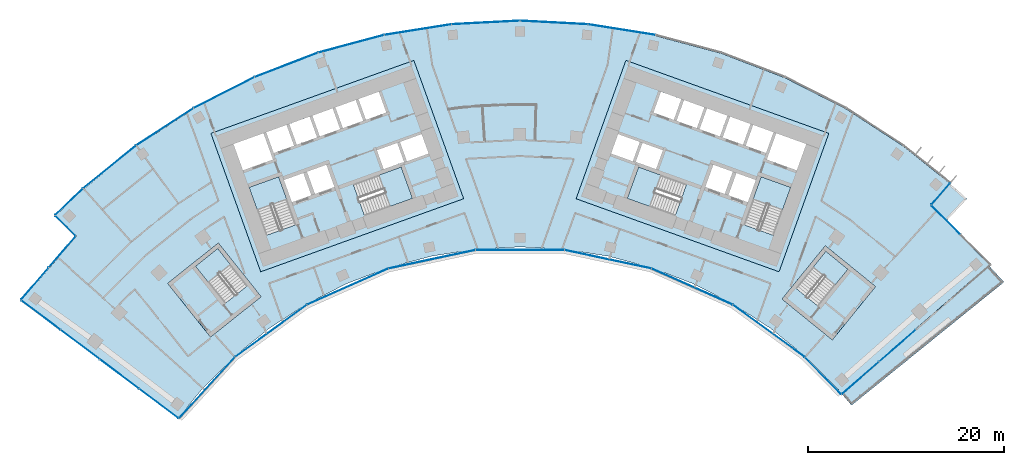
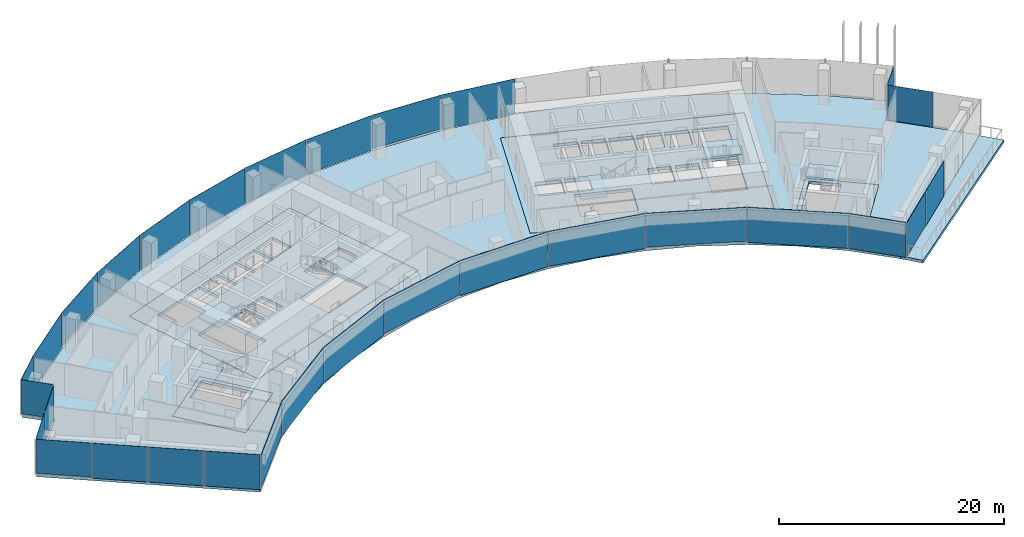
# One storey, part 11 of 20: 30 plates, 13 slabs, 14 elements without a shape of their own.
"""IFC4 building model written with IfcOpenShell, lengths in metres."""

from ifc_helpers import new_model, si_unit, direction, frame, origin, origin_2d, place, context, subcontext, project, spatial, polyline, rectangle, outline, extrude, material, layer, layer_set, type_object, element, aggregate, save


model = new_model("IFC4")

# Units and contexts
model_context = context("Model", 3, precision=1e-05, world=origin(), true_north=direction((0.0, 1.0)))
body_context = subcontext(model_context, "Body", "Model", "MODEL_VIEW")
ifc_project = project(units=[si_unit("LENGTHUNIT", "METRE"), si_unit("AREAUNIT", "SQUARE_METRE"), si_unit("VOLUMEUNIT", "CUBIC_METRE"), si_unit("PLANEANGLEUNIT", "RADIAN"), si_unit("MASSUNIT", "GRAM", prefix="KILO")], contexts=[model_context])

# Site, building, storey
site_placement = place(None, origin())
site = spatial("IfcSite", under=ifc_project, at=site_placement, CompositionType="ELEMENT")
building_placement = place(site_placement, origin())
building = spatial("IfcBuilding", under=site, at=building_placement, Name="Stone Belt Terrace Tower", CompositionType="ELEMENT")
storey_placement = place(building_placement, frame((0.0, 0.0, 170.60009765625)))
storey = spatial("IfcBuildingStorey", under=building, at=storey_placement, Name="L41", CompositionType="ELEMENT", Elevation=170.60009765625)

# Curtain wall, plates
ifc_material_1 = material(Name="Aluminium 6063-T6 anodised frame", Category="aluminium")
ifc_layer_1 = layer(ifc_material_1, 0.14990234375)
ifc_layer_set_1 = layer_set([ifc_layer_1], Name="CW-A unitised convex-face curtain wall")
curtain_wall_type_1 = type_object("IfcCurtainWallType", Name="CW-A unitised convex-face curtain wall", PredefinedType="NOTDEFINED", material=ifc_layer_set_1)
curtain_wall_1_placement = place(storey_placement, origin())
curtain_wall_1 = element("IfcCurtainWall", 1, at=curtain_wall_1_placement, inside=storey, type_object=curtain_wall_type_1, Name="CW-A convex face L41", PredefinedType="NOTDEFINED")
ifc_material_2 = material(Name="Clear double glazed unit")
ifc_layer_2 = layer(ifc_material_2, 0.031982421875)
ifc_layer_set_2 = layer_set([ifc_layer_2], Name="CW-A glass panel 32")
plate_type_1 = type_object("IfcPlateType", Name="CW-A glass panel 32", PredefinedType="CURTAIN_PANEL", material=ifc_layer_set_2)
plate_1_placement = place(storey_placement, frame((10.400390625, 65.665283203125, 0.0), z_axis=(0.0, 0.0, 1.0), x_axis=(-0.987688340595, 0.15643446504, 0.0)))
plate_1 = element("IfcPlate", 2, at=plate_1_placement, type_object=plate_type_1, Name="CW-A panel 6.1", PredefinedType="CURTAIN_PANEL", context=body_context, shape_type="SweptSolid", body=[
    extrude(rectangle(XDim=6.90087890625, YDim=0.031982421875, at=origin_2d()), origin(), (0.0, 0.0, 1.0), 3.800048828125),
])
plate_2_placement = place(storey_placement, frame((3.4794921875, 66.392822265625, 0.14013671875), z_axis=(0.0, 0.0, 1.0), x_axis=(-0.998629534755, 0.052335956243, 0.0)))
plate_2 = element("IfcPlate", 3, at=plate_2_placement, type_object=plate_type_1, Name="CW-A panel 7.1", PredefinedType="CURTAIN_PANEL", context=body_context, shape_type="SweptSolid", body=[
    extrude(rectangle(XDim=6.90087890625, YDim=0.031982421875, at=origin_2d()), origin(), (0.0, 0.0, 1.0), 3.659912109375),
])
plate_3_placement = place(storey_placement, frame((-3.4794921875, 66.392822265625, 0.0), z_axis=(0.0, 0.0, 1.0), x_axis=(-0.998629534755, -0.052335956243, 0.0)))
plate_3 = element("IfcPlate", 4, at=plate_3_placement, type_object=plate_type_1, Name="CW-A panel 8.1", PredefinedType="CURTAIN_PANEL", context=body_context, shape_type="SweptSolid", body=[
    extrude(rectangle(XDim=6.90087890625, YDim=0.031982421875, at=origin_2d()), origin(), (0.0, 0.0, 1.0), 3.800048828125),
])
plate_4_placement = place(storey_placement, frame((-10.400390625, 65.665283203125, 0.0), z_axis=(0.0, 0.0, 1.0), x_axis=(-0.987688340595, -0.15643446504, 0.0)))
plate_4 = element("IfcPlate", 5, at=plate_4_placement, type_object=plate_type_1, Name="CW-A panel 9.1", PredefinedType="CURTAIN_PANEL", context=body_context, shape_type="SweptSolid", body=[
    extrude(rectangle(XDim=6.90087890625, YDim=0.031982421875, at=origin_2d()), origin(), (0.0, 0.0, 1.0), 3.800048828125),
])
plate_5_placement = place(storey_placement, frame((-17.207275390625, 64.218505859375, 0.0), z_axis=(0.0, 0.0, 1.0), x_axis=(-0.965925826289, -0.258819045103, 0.0)))
plate_5 = element("IfcPlate", 6, at=plate_5_placement, type_object=plate_type_1, Name="CW-A panel 10.1", PredefinedType="CURTAIN_PANEL", context=body_context, shape_type="SweptSolid", body=[
    extrude(rectangle(XDim=6.90087890625, YDim=0.031982421875, at=origin_2d()), origin(), (0.0, 0.0, 1.0), 3.800048828125),
])
plate_6_placement = place(storey_placement, frame((-23.82568359375, 62.068115234375, 0.0), z_axis=(0.0, 0.0, 1.0), x_axis=(-0.933580426497, -0.358367949545, 0.0)))
plate_6 = element("IfcPlate", 7, at=plate_6_placement, type_object=plate_type_1, Name="CW-A panel 11.1", PredefinedType="CURTAIN_PANEL", context=body_context, shape_type="SweptSolid", body=[
    extrude(rectangle(XDim=6.90087890625, YDim=0.031982421875, at=origin_2d()), origin(), (0.0, 0.0, 1.0), 3.800048828125),
])
plate_7_placement = place(storey_placement, frame((-30.18310546875, 59.237548828125, 0.0), z_axis=(0.0, 0.0, 1.0), x_axis=(-0.891006524188, -0.45399049974, 0.0)))
plate_7 = element("IfcPlate", 8, at=plate_7_placement, type_object=plate_type_1, Name="CW-A panel 12.1", PredefinedType="CURTAIN_PANEL", context=body_context, shape_type="SweptSolid", body=[
    extrude(rectangle(XDim=6.90087890625, YDim=0.031982421875, at=origin_2d()), origin(), (0.0, 0.0, 1.0), 3.800048828125),
])
plate_8_placement = place(storey_placement, frame((-36.209716796875, 55.758056640625, 0.14013671875), z_axis=(0.0, 0.0, 1.0), x_axis=(-0.838670567945, -0.544639035015, 0.0)))
plate_8 = element("IfcPlate", 9, at=plate_8_placement, type_object=plate_type_1, Name="CW-A panel 13.1", PredefinedType="CURTAIN_PANEL", context=body_context, shape_type="SweptSolid", body=[
    extrude(rectangle(XDim=6.90087890625, YDim=0.031982421875, at=origin_2d()), origin(), (0.0, 0.0, 1.0), 3.659912109375),
])
plate_9_placement = place(storey_placement, frame((-41.839599609375, 51.667724609375, 0.0), z_axis=(0.0, 0.0, 1.0), x_axis=(-0.777145961457, -0.62932039105, 0.0)))
plate_9 = element("IfcPlate", 10, at=plate_9_placement, type_object=plate_type_1, Name="CW-A panel 14.1", PredefinedType="CURTAIN_PANEL", context=body_context, shape_type="SweptSolid", body=[
    extrude(rectangle(XDim=6.900634765625, YDim=0.031982421875, at=origin_2d()), origin(), (0.0, 0.0, 1.0), 3.800048828125),
])
plate_10_placement = place(storey_placement, frame((-45.9765625, 48.109619140625, 0.0), z_axis=(0.0, 0.0, 1.0), x_axis=(-0.723120883539, -0.690721497993, 0.0)))
plate_10 = element("IfcPlate", 11, at=plate_10_placement, type_object=plate_type_1, Name="CW-A panel 15.1", PredefinedType="CURTAIN_PANEL", context=body_context, shape_type="SweptSolid", body=[
    extrude(rectangle(XDim=3.888671875, YDim=0.031982421875, at=origin_2d()), origin(), (0.0, 0.0, 1.0), 3.800048828125),
])
aggregate(curtain_wall_1, [plate_1, plate_2, plate_3, plate_4, plate_5, plate_6, plate_7, plate_8, plate_9, plate_10])

ifc_layer_3 = layer(ifc_material_1, 0.14990234375)
ifc_layer_set_3 = layer_set([ifc_layer_3], Name="CW-B unitised concave-face curtain wall")
curtain_wall_type_2 = type_object("IfcCurtainWallType", Name="CW-B unitised concave-face curtain wall", PredefinedType="NOTDEFINED", material=ifc_layer_set_3)
curtain_wall_2_placement = place(storey_placement, origin())
curtain_wall_2 = element("IfcCurtainWall", 12, at=curtain_wall_2_placement, inside=storey, type_object=curtain_wall_type_2, Name="CW-B concave face L41", PredefinedType="NOTDEFINED")
ifc_layer_4 = layer(ifc_material_2, 0.030029296875)
ifc_layer_set_4 = layer_set([ifc_layer_4], Name="CW-B glass panel 30")
plate_type_2 = type_object("IfcPlateType", Name="CW-B glass panel 30", PredefinedType="CURTAIN_PANEL", material=ifc_layer_set_4)
plate_11_placement = place(storey_placement, frame((-31.9111328125, 29.148681640625, 0.1201171875), z_axis=(0.0, 0.0, 1.0), x_axis=(0.674760998748, 0.73803630979, 0.0)))
plate_11 = element("IfcPlate", 13, at=plate_11_placement, type_object=plate_type_2, Name="CW-B panel 1.1", PredefinedType="CURTAIN_PANEL", context=body_context, shape_type="SweptSolid", body=[
    extrude(rectangle(XDim=8.39501953125, YDim=0.030029296875, at=origin_2d()), origin(), (0.0, 0.0, 1.0), 3.679931640625),
])
plate_12_placement = place(storey_placement, frame((-25.384765625, 34.938720703125, 0.0), z_axis=(0.0, 0.0, 1.0), x_axis=(0.809016994375, 0.587785252292, 0.0)))
plate_12 = element("IfcPlate", 14, at=plate_12_placement, type_object=plate_type_2, Name="CW-B panel 2.1", PredefinedType="CURTAIN_PANEL", context=body_context, shape_type="SweptSolid", body=[
    extrude(rectangle(XDim=9.013427734375, YDim=0.030029296875, at=origin_2d()), origin(), (0.0, 0.0, 1.0), 3.800048828125),
])
plate_13_placement = place(storey_placement, frame((-17.565673828125, 39.453125, 0.0), z_axis=(0.0, 0.0, 1.0), x_axis=(0.913545457643, 0.406736643076, 0.0)))
plate_13 = element("IfcPlate", 15, at=plate_13_placement, type_object=plate_type_2, Name="CW-B panel 3.1", PredefinedType="CURTAIN_PANEL", context=body_context, shape_type="SweptSolid", body=[
    extrude(rectangle(XDim=9.0126953125, YDim=0.030029296875, at=origin_2d()), origin(), (0.0, 0.0, 1.0), 3.800048828125),
])
plate_14_placement = place(storey_placement, frame((-8.97900390625, 42.242919921875, 0.1201171875), z_axis=(0.0, 0.0, 1.0), x_axis=(0.978147600734, 0.207911690818, 0.0)))
plate_14 = element("IfcPlate", 16, at=plate_14_placement, type_object=plate_type_2, Name="CW-B panel 4.1", PredefinedType="CURTAIN_PANEL", context=body_context, shape_type="SweptSolid", body=[
    extrude(rectangle(XDim=9.0126953125, YDim=0.030029296875, at=origin_2d()), origin(), (0.0, 0.0, 1.0), 3.679931640625),
])
plate_15_placement = place(storey_placement, frame((0.0, 43.186767578125, 0.0), z_axis=(0.0, 0.0, 1.0), x_axis=(1.0, 0.0, 0.0)))
plate_15 = element("IfcPlate", 17, at=plate_15_placement, type_object=plate_type_2, Name="CW-B panel 5.1", PredefinedType="CURTAIN_PANEL", context=body_context, shape_type="SweptSolid", body=[
    extrude(rectangle(XDim=9.0126953125, YDim=0.030029296875, at=origin_2d()), origin(), (0.0, 0.0, 1.0), 3.800048828125),
])
plate_16_placement = place(storey_placement, frame((8.97900390625, 42.242919921875, 0.0), z_axis=(0.0, 0.0, 1.0), x_axis=(0.978147600734, -0.207911690818, 0.0)))
plate_16 = element("IfcPlate", 18, at=plate_16_placement, type_object=plate_type_2, Name="CW-B panel 6.1", PredefinedType="CURTAIN_PANEL", context=body_context, shape_type="SweptSolid", body=[
    extrude(rectangle(XDim=9.0126953125, YDim=0.030029296875, at=origin_2d()), origin(), (0.0, 0.0, 1.0), 3.800048828125),
])
plate_17_placement = place(storey_placement, frame((17.565673828125, 39.453125, 0.1201171875), z_axis=(0.0, 0.0, 1.0), x_axis=(0.913545457643, -0.406736643076, 0.0)))
plate_17 = element("IfcPlate", 19, at=plate_17_placement, type_object=plate_type_2, Name="CW-B panel 7.1", PredefinedType="CURTAIN_PANEL", context=body_context, shape_type="SweptSolid", body=[
    extrude(rectangle(XDim=9.0126953125, YDim=0.030029296875, at=origin_2d()), origin(), (0.0, 0.0, 1.0), 3.679931640625),
])
plate_18_placement = place(storey_placement, frame((25.3857421875, 34.937744140625, 0.0), z_axis=(0.0, 0.0, 1.0), x_axis=(0.809016994375, -0.587785252292, 0.0)))
plate_18 = element("IfcPlate", 20, at=plate_18_placement, type_object=plate_type_2, Name="CW-B panel 8.1", PredefinedType="CURTAIN_PANEL", context=body_context, shape_type="SweptSolid", body=[
    extrude(rectangle(XDim=9.01611328125, YDim=0.030029296875, at=origin_2d()), origin(), (0.0, 0.0, 1.0), 3.800048828125),
])
plate_19_placement = place(storey_placement, frame((30.9189453125, 30.37744140625, 0.0), z_axis=(0.0, 0.0, 1.0), x_axis=(0.701146694669, -0.713017049274, 0.0)))
plate_19 = element("IfcPlate", 21, at=plate_19_placement, type_object=plate_type_2, Name="CW-B panel 9.1", PredefinedType="CURTAIN_PANEL", context=body_context, shape_type="SweptSolid", body=[
    extrude(rectangle(XDim=5.245849609375, YDim=0.030029296875, at=origin_2d()), origin(), (0.0, 0.0, 1.0), 3.800048828125),
])
aggregate(curtain_wall_2, [plate_11, plate_12, plate_13, plate_14, plate_15, plate_16, plate_17, plate_18, plate_19])

ifc_layer_5 = layer(ifc_material_1, 0.14990234375)
ifc_layer_set_5 = layer_set([ifc_layer_5], Name="CW-C stick curtain wall, horn ends and notches")
curtain_wall_type_3 = type_object("IfcCurtainWallType", Name="CW-C stick curtain wall, horn ends and notches", PredefinedType="NOTDEFINED", material=ifc_layer_set_5)
curtain_wall_3_placement = place(storey_placement, origin())
curtain_wall_3 = element("IfcCurtainWall", 22, at=curtain_wall_3_placement, inside=storey, type_object=curtain_wall_type_3, Name="CW-C end face L41", PredefinedType="NOTDEFINED")
ifc_layer_6 = layer(ifc_material_2, 0.028076171875)
ifc_layer_set_6 = layer_set([ifc_layer_6], Name="CW-C glass panel 28")
plate_type_3 = type_object("IfcPlateType", Name="CW-C glass panel 28", PredefinedType="CURTAIN_PANEL", material=ifc_layer_set_6)
plate_20_placement = place(storey_placement, frame((34.7353515625, 30.13623046875, 0.1201171875), z_axis=(0.0, 0.0, 1.0), x_axis=(0.754272557058, 0.65656142871, 0.0)))
plate_20 = element("IfcPlate", 23, at=plate_20_placement, type_object=plate_type_3, Name="CW-C panel 1.1", PredefinedType="CURTAIN_PANEL", context=body_context, shape_type="SweptSolid", body=[
    extrude(rectangle(XDim=4.96728515625, YDim=0.028076171875, at=origin_2d()), origin(), (0.0, 0.0, 1.0), 3.679931640625),
])
plate_21_placement = place(storey_placement, frame((38.51708984375, 33.427978515625, 0.0), z_axis=(0.0, 0.0, 1.0), x_axis=(0.754272557058, 0.65656142871, 0.0)))
plate_21 = element("IfcPlate", 24, at=plate_21_placement, type_object=plate_type_3, Name="CW-C panel 2.1", PredefinedType="CURTAIN_PANEL", context=body_context, shape_type="SweptSolid", body=[
    extrude(rectangle(XDim=4.93994140625, YDim=0.028076171875, at=origin_2d()), origin(), (0.0, 0.0, 1.0), 3.800048828125),
])
aggregate(curtain_wall_3, [plate_20, plate_21])

# Curtain wall, plate
curtain_wall_4_placement = place(storey_placement, origin())
curtain_wall_4 = element("IfcCurtainWall", 25, at=curtain_wall_4_placement, inside=storey, type_object=curtain_wall_type_3, Name="CW-C notch face L41", PredefinedType="NOTDEFINED")
plate_22_placement = place(storey_placement, frame((43.44189453125, 46.265380859375, 0.0), z_axis=(0.0, 0.0, 1.0), x_axis=(-0.706060821703, 0.70815119576, 0.0)))
plate_22 = element("IfcPlate", 26, at=plate_22_placement, type_object=plate_type_3, Name="CW-C panel 2.1", PredefinedType="CURTAIN_PANEL", context=body_context, shape_type="SweptSolid", body=[
    extrude(rectangle(XDim=4.12060546875, YDim=0.028076171875, at=origin_2d()), origin(), (0.0, 0.0, 1.0), 3.800048828125),
])
aggregate(curtain_wall_4, [plate_22])

curtain_wall_5_placement = place(storey_placement, origin())
curtain_wall_5 = element("IfcCurtainWall", 27, at=curtain_wall_5_placement, inside=storey, type_object=curtain_wall_type_3, Name="CW-C notch face L41", PredefinedType="NOTDEFINED")
plate_23_placement = place(storey_placement, frame((42.926025390625, 48.9072265625, 0.1201171875), z_axis=(0.0, 0.0, 1.0), x_axis=(0.658788364525, 0.75232831315, 0.0)))
plate_23 = element("IfcPlate", 28, at=plate_23_placement, type_object=plate_type_3, Name="CW-C panel 1.1", PredefinedType="CURTAIN_PANEL", context=body_context, shape_type="SweptSolid", body=[
    extrude(rectangle(XDim=2.8603515625, YDim=0.028076171875, at=origin_2d()), origin(), (0.0, 0.0, 1.0), 3.679931640625),
])
aggregate(curtain_wall_5, [plate_23])

curtain_wall_6_placement = place(storey_placement, origin())
curtain_wall_6 = element("IfcCurtainWall", 29, at=curtain_wall_6_placement, inside=storey, type_object=curtain_wall_type_3, Name="CW-C notch face L41", PredefinedType="NOTDEFINED")
plate_24_placement = place(storey_placement, frame((-46.365966796875, 45.658447265625, 0.1201171875), z_axis=(0.0, 0.0, 1.0), x_axis=(0.711713447851, -0.702469905511, 0.0)))
plate_24 = element("IfcPlate", 30, at=plate_24_placement, type_object=plate_type_3, Name="CW-C panel 1.1", PredefinedType="CURTAIN_PANEL", context=body_context, shape_type="SweptSolid", body=[
    extrude(rectangle(XDim=2.859375, YDim=0.028076171875, at=origin_2d()), origin(), (0.0, 0.0, 1.0), 3.679931640625),
])
aggregate(curtain_wall_6, [plate_24])

# Curtain wall, plates
curtain_wall_7_placement = place(storey_placement, origin())
curtain_wall_7 = element("IfcCurtainWall", 31, at=curtain_wall_7_placement, inside=storey, type_object=curtain_wall_type_3, Name="CW-C notch face L41", PredefinedType="NOTDEFINED")
plate_25_placement = place(storey_placement, frame((-46.68896484375, 42.986572265625, 0.1201171875), z_axis=(0.0, 0.0, 1.0), x_axis=(-0.652737860281, -0.757583847343, 0.0)))
plate_25 = element("IfcPlate", 32, at=plate_25_placement, type_object=plate_type_3, Name="CW-C panel 1.1", PredefinedType="CURTAIN_PANEL", context=body_context, shape_type="SweptSolid", body=[
    extrude(rectangle(XDim=4.12060546875, YDim=0.028076171875, at=origin_2d()), origin(), (0.0, 0.0, 1.0), 3.679931640625),
])
plate_26_placement = place(storey_placement, frame((-49.466064453125, 39.76318359375, 0.0), z_axis=(0.0, 0.0, 1.0), x_axis=(-0.652737860281, -0.757583847343, 0.0)))
plate_26 = element("IfcPlate", 33, at=plate_26_placement, type_object=plate_type_3, Name="CW-C panel 2.1", PredefinedType="CURTAIN_PANEL", context=body_context, shape_type="SweptSolid", body=[
    extrude(rectangle(XDim=4.268798828125, YDim=0.028076171875, at=origin_2d()), origin(), (0.0, 0.0, 1.0), 3.800048828125),
])
aggregate(curtain_wall_7, [plate_25, plate_26])

curtain_wall_8_placement = place(storey_placement, origin())
curtain_wall_8 = element("IfcCurtainWall", 34, at=curtain_wall_8_placement, inside=storey, type_object=curtain_wall_type_3, Name="CW-C end face L41", PredefinedType="NOTDEFINED")
plate_27_placement = place(storey_placement, frame((-48.858154296875, 36.551513671875, 0.1201171875), z_axis=(0.0, 0.0, 1.0), x_axis=(0.799986505357, -0.600017992436, 0.0)))
plate_27 = element("IfcPlate", 35, at=plate_27_placement, type_object=plate_type_3, Name="CW-C panel 1.1", PredefinedType="CURTAIN_PANEL", context=body_context, shape_type="SweptSolid", body=[
    extrude(rectangle(XDim=4.974853515625, YDim=0.028076171875, at=origin_2d()), origin(), (0.0, 0.0, 1.0), 3.679931640625),
])
plate_28_placement = place(storey_placement, frame((-44.84423828125, 33.541015625, 0.0), z_axis=(0.0, 0.0, 1.0), x_axis=(0.799986505357, -0.600017992436, 0.0)))
plate_28 = element("IfcPlate", 36, at=plate_28_placement, type_object=plate_type_3, Name="CW-C panel 2.1", PredefinedType="CURTAIN_PANEL", context=body_context, shape_type="SweptSolid", body=[
    extrude(rectangle(XDim=4.93994140625, YDim=0.028076171875, at=origin_2d()), origin(), (0.0, 0.0, 1.0), 3.800048828125),
])
plate_29_placement = place(storey_placement, frame((-40.84423828125, 30.541015625, 0.0), z_axis=(0.0, 0.0, 1.0), x_axis=(0.799986505357, -0.600017992436, 0.0)))
plate_29 = element("IfcPlate", 37, at=plate_29_placement, type_object=plate_type_3, Name="CW-C panel 3.1", PredefinedType="CURTAIN_PANEL", context=body_context, shape_type="SweptSolid", body=[
    extrude(rectangle(XDim=4.93994140625, YDim=0.028076171875, at=origin_2d()), origin(), (0.0, 0.0, 1.0), 3.800048828125),
])
plate_30_placement = place(storey_placement, frame((-36.834228515625, 27.533203125, 0.0), z_axis=(0.0, 0.0, 1.0), x_axis=(0.799986505357, -0.600017992436, 0.0)))
plate_30 = element("IfcPlate", 38, at=plate_30_placement, type_object=plate_type_3, Name="CW-C panel 4.1", PredefinedType="CURTAIN_PANEL", context=body_context, shape_type="SweptSolid", body=[
    extrude(rectangle(XDim=4.96533203125, YDim=0.028076171875, at=origin_2d()), origin(), (0.0, 0.0, 1.0), 3.800048828125),
])
aggregate(curtain_wall_8, [plate_27, plate_28, plate_29, plate_30])

# Slabs
ifc_material_3 = material(Name="Concrete B40", Category="concrete")
ifc_layer_7 = layer(ifc_material_3, 0.320068359375)
ifc_layer_set_7 = layer_set([ifc_layer_7], Name="Core floor slab 320")
slab_type_1 = type_object("IfcSlabType", Name="Core floor slab 320", PredefinedType="FLOOR", material=ifc_layer_set_7)
slab_1_placement = place(storey_placement, frame((0.0, 0.0, -0.320068359375)))
element("IfcSlab", 39, at=slab_1_placement, inside=storey, type_object=slab_type_1, Name="Core A floor L41", PredefinedType="FLOOR", context=body_context, shape_type="SweptSolid", body=[
    extrude(outline(polyline([(-26.43505859375, 40.968994140625), (-5.735107421875, 48.4189453125), (-10.81396484375, 62.531982421875), (-31.513916015625, 55.0830078125), (-26.43505859375, 40.968994140625)]), holes=[polyline([(-24.60791015625, 50.659912109375), (-22.847900390625, 45.76806640625), (-25.85888671875, 44.68408203125), (-27.618896484375, 49.575927734375), (-24.60791015625, 50.659912109375)]), polyline([(-23.25, 48.06689453125), (-24.06298828125, 50.324951171875), (-22.0869140625, 51.035888671875), (-21.27392578125, 48.778076171875), (-23.25, 48.06689453125)]), polyline([(-20.89794921875, 48.9130859375), (-21.7109375, 51.1708984375), (-19.735107421875, 51.883056640625), (-18.922119140625, 49.6240234375), (-20.89794921875, 48.9130859375)]), polyline([(-28.24609375, 51.31689453125), (-29.2109375, 53.9990234375), (-26.153076171875, 55.09912109375), (-25.18798828125, 52.41796875), (-28.24609375, 51.31689453125)]), polyline([(-23.801025390625, 55.946044921875), (-23.0390625, 53.8291015625), (-25.10888671875, 53.083984375), (-25.87109375, 55.200927734375), (-23.801025390625, 55.946044921875)]), polyline([(-21.447998046875, 56.7919921875), (-20.68603515625, 54.675048828125), (-22.756103515625, 53.929931640625), (-23.51806640625, 56.047119140625), (-21.447998046875, 56.7919921875)]), polyline([(-10.955078125, 48.452880859375), (-15.846923828125, 46.69189453125), (-16.998046875, 49.89208984375), (-12.10595703125, 51.652099609375), (-10.955078125, 48.452880859375)]), polyline([(-11.847900390625, 52.116943359375), (-11.864990234375, 52.1640625), (-13.887939453125, 51.43603515625), (-14.58203125, 53.364990234375), (-12.511962890625, 54.110107421875), (-11.801025390625, 52.134033203125), (-11.847900390625, 52.116943359375)]), polyline([(-9.30810546875, 53.031005859375), (-11.51904296875, 52.235107421875), (-12.22998046875, 54.2109375), (-10.01904296875, 55.007080078125), (-9.30810546875, 53.031005859375)]), polyline([(-21.166015625, 56.89404296875), (-19.095947265625, 57.638916015625), (-18.333984375, 55.52197265625), (-20.404052734375, 54.777099609375), (-21.166015625, 56.89404296875)]), polyline([(-16.743896484375, 58.485107421875), (-15.98193359375, 56.367919921875), (-18.052001953125, 55.623046875), (-18.81396484375, 57.739990234375), (-16.743896484375, 58.485107421875)]), polyline([(-14.39111328125, 59.33203125), (-13.6298828125, 57.215087890625), (-15.699951171875, 56.469970703125), (-16.4609375, 58.5869140625), (-14.39111328125, 59.33203125)])]), origin(), (0.0, 0.0, 1.0), 0.320068359375),
])
slab_2_placement = place(storey_placement, frame((0.0, 0.0, -0.320068359375)))
element("IfcSlab", 40, at=slab_2_placement, inside=storey, type_object=slab_type_1, Name="Core B floor L41", PredefinedType="FLOOR", context=body_context, shape_type="SweptSolid", body=[
    extrude(outline(polyline([(26.43505859375, 40.968994140625), (31.513916015625, 55.0830078125), (10.81396484375, 62.531982421875), (5.735107421875, 48.4189453125), (26.43505859375, 40.968994140625)]), holes=[polyline([(12.10595703125, 51.652099609375), (16.998046875, 49.89208984375), (15.846923828125, 46.69189453125), (10.955078125, 48.452880859375), (12.10595703125, 51.652099609375)]), polyline([(12.511962890625, 54.110107421875), (14.58203125, 53.364990234375), (13.887939453125, 51.43603515625), (11.864990234375, 52.1640625), (11.847900390625, 52.116943359375), (11.801025390625, 52.134033203125), (12.511962890625, 54.110107421875)]), polyline([(9.30810546875, 53.031005859375), (10.01904296875, 55.007080078125), (12.22998046875, 54.2109375), (11.51904296875, 52.235107421875), (9.30810546875, 53.031005859375)]), polyline([(18.333984375, 55.52197265625), (19.095947265625, 57.638916015625), (21.166015625, 56.89404296875), (20.404052734375, 54.777099609375), (18.333984375, 55.52197265625)]), polyline([(16.743896484375, 58.485107421875), (18.81396484375, 57.739990234375), (18.052001953125, 55.623046875), (15.98193359375, 56.367919921875), (16.743896484375, 58.485107421875)]), polyline([(14.39111328125, 59.33203125), (16.4609375, 58.5869140625), (15.699951171875, 56.469970703125), (13.6298828125, 57.215087890625), (14.39111328125, 59.33203125)]), polyline([(27.618896484375, 49.575927734375), (25.85888671875, 44.68408203125), (22.847900390625, 45.76806640625), (24.60791015625, 50.659912109375), (27.618896484375, 49.575927734375)]), polyline([(23.25, 48.06689453125), (21.27392578125, 48.778076171875), (22.0869140625, 51.035888671875), (24.06298828125, 50.324951171875), (23.25, 48.06689453125)]), polyline([(20.89794921875, 48.9130859375), (18.922119140625, 49.6240234375), (19.735107421875, 51.883056640625), (21.7109375, 51.1708984375), (20.89794921875, 48.9130859375)]), polyline([(26.153076171875, 55.09912109375), (29.2109375, 53.9990234375), (28.24609375, 51.31689453125), (25.18798828125, 52.41796875), (26.153076171875, 55.09912109375)]), polyline([(23.801025390625, 55.946044921875), (25.87109375, 55.200927734375), (25.10888671875, 53.083984375), (23.0390625, 53.8291015625), (23.801025390625, 55.946044921875)]), polyline([(21.447998046875, 56.7919921875), (23.51806640625, 56.047119140625), (22.756103515625, 53.929931640625), (20.68603515625, 54.675048828125), (21.447998046875, 56.7919921875)])]), origin(), (0.0, 0.0, 1.0), 0.320068359375),
])
slab_3_placement = place(storey_placement, frame((0.0, 0.0, -0.320068359375)))
element("IfcSlab", 41, at=slab_3_placement, inside=storey, type_object=slab_type_1, Name="Exit stair ST3A floor L41", PredefinedType="FLOOR", context=body_context, shape_type="SweptSolid", body=[
    extrude(outline(polyline([(-26.39404296875, 38.425048828125), (-30.756103515625, 43.89990234375), (-35.91796875, 39.787109375), (-31.555908203125, 34.31298828125), (-26.39404296875, 38.425048828125)]), holes=[polyline([(-27.798095703125, 39.544921875), (-30.06591796875, 37.738037109375), (-33.087890625, 41.531005859375), (-30.820068359375, 43.337890625), (-27.798095703125, 39.544921875)])]), origin(), (0.0, 0.0, 1.0), 0.320068359375),
])
slab_4_placement = place(storey_placement, frame((0.0, 0.0, -0.320068359375)))
element("IfcSlab", 42, at=slab_4_placement, inside=storey, type_object=slab_type_1, Name="Exit stair ST3B floor L41", PredefinedType="FLOOR", context=body_context, shape_type="SweptSolid", body=[
    extrude(outline(polyline([(26.741943359375, 38.18408203125), (31.866943359375, 34.02392578125), (36.278076171875, 39.458984375), (31.154052734375, 43.618896484375), (26.741943359375, 38.18408203125)]), holes=[polyline([(30.407958984375, 37.462890625), (28.156005859375, 39.291015625), (31.2119140625, 43.055908203125), (33.464111328125, 41.22802734375), (30.407958984375, 37.462890625)])]), origin(), (0.0, 0.0, 1.0), 0.320068359375),
])
ifc_layer_8 = layer(ifc_material_3, 0.320068359375)
ifc_layer_set_8 = layer_set([ifc_layer_8], Name="Floor slab 320 B40")
slab_type_2 = type_object("IfcSlabType", Name="Floor slab 320 B40", PredefinedType="FLOOR", material=ifc_layer_set_8)
slab_5_placement = place(storey_placement, frame((0.0, 0.0, -0.320068359375)))
element("IfcSlab", 43, at=slab_5_placement, inside=storey, type_object=slab_type_2, Name="Floor slab L41", PredefinedType="FLOOR", context=body_context, shape_type="SweptSolid", body=[
    extrude(outline(polyline([(-44.497314453125, 49.419189453125), (-39.087646484375, 53.799560546875), (-33.25, 57.5908203125), (-27.048095703125, 60.750732421875), (-20.549560546875, 63.245361328125), (-13.826171875, 65.046875), (-6.951171875, 66.1357421875), (0.0, 66.5), (6.951171875, 66.1357421875), (13.826171875, 65.046875), (20.549560546875, 63.245361328125), (27.048095703125, 60.750732421875), (33.25, 57.5908203125), (39.087646484375, 53.799560546875), (43.809326171875, 50.02978515625), (41.8330078125, 47.772705078125), (47.896240234375, 41.691650390625), (32.810791015625, 28.560302734375), (32.326904296875, 29.107177734375), (29.107177734375, 32.326904296875), (25.568603515625, 35.192138671875), (21.75, 37.672119140625), (17.693115234375, 39.7392578125), (13.442138671875, 41.37109375), (9.044189453125, 42.54931640625), (4.547119140625, 43.26171875), (0.0, 43.5), (-4.547119140625, 43.26171875), (-9.044189453125, 42.54931640625), (-13.442138671875, 41.37109375), (-17.693115234375, 39.7392578125), (-21.75, 37.672119140625), (-25.568603515625, 35.192138671875), (-29.107177734375, 32.326904296875), (-32.326904296875, 29.107177734375), (-34.79931640625, 26.100830078125), (-50.799072265625, 38.10107421875), (-45.19384765625, 44.606689453125), (-47.328857421875, 46.714111328125), (-44.497314453125, 49.419189453125)]), holes=[polyline([(-26.434814453125, 40.968994140625), (-5.734619140625, 48.418701171875), (-10.81396484375, 62.532470703125), (-31.51416015625, 55.082763671875), (-26.434814453125, 40.968994140625)]), polyline([(10.81396484375, 62.532470703125), (5.734619140625, 48.418701171875), (26.434814453125, 40.968994140625), (31.51416015625, 55.082763671875), (10.81396484375, 62.532470703125)]), polyline([(-35.91796875, 39.787353515625), (-31.55615234375, 34.3125), (-26.39404296875, 38.425048828125), (-30.756103515625, 43.89990234375), (-35.91796875, 39.787353515625)]), polyline([(36.2783203125, 39.459228515625), (31.15380859375, 43.61865234375), (26.742431640625, 38.18359375), (31.86669921875, 34.024169921875), (36.2783203125, 39.459228515625)])]), origin(), (0.0, 0.0, 1.0), 0.320068359375),
])

# Stair, slab
stair_type = type_object("IfcStairType", Name="Exit stair 1500", PredefinedType="HALF_TURN_STAIR", material=ifc_material_3)
stair_1_placement = place(storey_placement, origin())
stair_1 = element("IfcStair", 44, at=stair_1_placement, inside=storey, type_object=stair_type, Name="L41 Exit stair 1 core A", PredefinedType="HALF_TURN_STAIR")
ifc_layer_9 = layer(ifc_material_3, 0.199951171875)
ifc_layer_set_9 = layer_set([ifc_layer_9], Name="Stair landing 200")
slab_type_3 = type_object("IfcSlabType", Name="Stair landing 200", PredefinedType="LANDING", material=ifc_layer_set_9)
slab_6_placement = place(storey_placement, frame((0.0, 0.0, 1.699951171875)))
slab_6 = element("IfcSlab", 45, at=slab_6_placement, type_object=slab_type_3, Name="ST1A landing 1", PredefinedType="LANDING", context=body_context, shape_type="SweptSolid", body=[
    extrude(outline(polyline([(-23.79541015625, 48.40087890625), (-24.6083984375, 50.659912109375), (-27.619384765625, 49.576171875), (-26.806396484375, 47.3173828125), (-23.79541015625, 48.40087890625)])), origin(), (0.0, 0.0, 1.0), 0.199951171875),
])
aggregate(stair_1, [slab_6])

stair_2_placement = place(storey_placement, origin())
stair_2 = element("IfcStair", 46, at=stair_2_placement, inside=storey, type_object=stair_type, Name="L41 Exit stair 2 core A", PredefinedType="HALF_TURN_STAIR")
slab_7_placement = place(storey_placement, frame((0.0, 0.0, 1.699951171875)))
slab_7 = element("IfcSlab", 47, at=slab_7_placement, type_object=slab_type_3, Name="ST2A landing 1", PredefinedType="LANDING", context=body_context, shape_type="SweptSolid", body=[
    extrude(outline(polyline([(-13.213623046875, 47.64013671875), (-10.95458984375, 48.453125), (-12.10595703125, 51.652099609375), (-14.36474609375, 50.839111328125), (-13.213623046875, 47.64013671875)])), origin(), (0.0, 0.0, 1.0), 0.199951171875),
])
aggregate(stair_2, [slab_7])

stair_3_placement = place(storey_placement, origin())
stair_3 = element("IfcStair", 48, at=stair_3_placement, inside=storey, type_object=stair_type, Name="L41 Exit stair 1 core B", PredefinedType="HALF_TURN_STAIR")
slab_8_placement = place(storey_placement, frame((0.0, 0.0, 1.699951171875)))
slab_8 = element("IfcSlab", 49, at=slab_8_placement, type_object=slab_type_3, Name="ST1B landing 1", PredefinedType="LANDING", context=body_context, shape_type="SweptSolid", body=[
    extrude(outline(polyline([(26.806396484375, 47.3173828125), (27.619384765625, 49.576171875), (24.6083984375, 50.659912109375), (23.79541015625, 48.40087890625), (26.806396484375, 47.3173828125)])), origin(), (0.0, 0.0, 1.0), 0.199951171875),
])
aggregate(stair_3, [slab_8])

stair_4_placement = place(storey_placement, origin())
stair_4 = element("IfcStair", 50, at=stair_4_placement, inside=storey, type_object=stair_type, Name="L41 Exit stair 2 core B", PredefinedType="HALF_TURN_STAIR")
slab_9_placement = place(storey_placement, frame((0.0, 0.0, 1.699951171875)))
slab_9 = element("IfcSlab", 51, at=slab_9_placement, type_object=slab_type_3, Name="ST2B landing 1", PredefinedType="LANDING", context=body_context, shape_type="SweptSolid", body=[
    extrude(outline(polyline([(14.36474609375, 50.839111328125), (12.10595703125, 51.652099609375), (10.95458984375, 48.453125), (13.213623046875, 47.64013671875), (14.36474609375, 50.839111328125)])), origin(), (0.0, 0.0, 1.0), 0.199951171875),
])
aggregate(stair_4, [slab_9])

stair_5_placement = place(storey_placement, origin())
stair_5 = element("IfcStair", 52, at=stair_5_placement, inside=storey, type_object=stair_type, Name="L41 Exit stair 3A", PredefinedType="HALF_TURN_STAIR")
slab_10_placement = place(storey_placement, frame((0.0, 0.0, 1.699951171875)))
slab_10 = element("IfcSlab", 53, at=slab_10_placement, type_object=slab_type_3, Name="ST3A landing 1", PredefinedType="LANDING", context=body_context, shape_type="SweptSolid", body=[
    extrude(outline(polyline([(-29.541748046875, 41.73388671875), (-30.819580078125, 43.337890625), (-33.087646484375, 41.53076171875), (-31.809814453125, 39.9267578125), (-29.541748046875, 41.73388671875)])), origin(), (0.0, 0.0, 1.0), 0.199951171875),
])
aggregate(stair_5, [slab_10])

stair_6_placement = place(storey_placement, origin())
stair_6 = element("IfcStair", 54, at=stair_6_placement, inside=storey, type_object=stair_type, Name="L41 Exit stair 3B", PredefinedType="HALF_TURN_STAIR")
slab_11_placement = place(storey_placement, frame((0.0, 0.0, 1.699951171875)))
slab_11 = element("IfcSlab", 55, at=slab_11_placement, type_object=slab_type_3, Name="ST3B landing 1", PredefinedType="LANDING", context=body_context, shape_type="SweptSolid", body=[
    extrude(outline(polyline([(32.17138671875, 39.635986328125), (33.4638671875, 41.228271484375), (31.21240234375, 43.055908203125), (29.919921875, 41.463623046875), (32.17138671875, 39.635986328125)])), origin(), (0.0, 0.0, 1.0), 0.199951171875),
])
aggregate(stair_6, [slab_11])

# Slabs
ifc_layer_10 = layer(ifc_material_3, 0.300048828125)
ifc_layer_set_10 = layer_set([ifc_layer_10], Name="Terrace slab 300 B40")
slab_type_4 = type_object("IfcSlabType", Name="Terrace slab 300 B40", PredefinedType="FLOOR", material=ifc_layer_set_10)
slab_12_placement = place(storey_placement, frame((0.0, 0.0, -0.300048828125)))
element("IfcSlab", 56, at=slab_12_placement, inside=storey, type_object=slab_type_4, Name="Terrace slab L41-stack_terrace-1", PredefinedType="FLOOR", context=body_context, shape_type="SweptSolid", body=[
    extrude(outline(polyline([(33.827392578125, 27.3486328125), (49.38037109375, 39.9228515625), (47.81005859375, 41.61669921875), (32.810791015625, 28.560302734375), (32.466064453125, 28.949951171875), (32.463134765625, 28.947509765625), (33.827392578125, 27.3486328125)])), origin(), (0.0, 0.0, 1.0), 0.300048828125),
])
slab_13_placement = place(storey_placement, frame((0.0, 0.0, -0.300048828125)))
element("IfcSlab", 57, at=slab_13_placement, inside=storey, type_object=slab_type_4, Name="Terrace slab L41-notch_roof-2", PredefinedType="FLOOR", context=body_context, shape_type="SweptSolid", body=[
    extrude(outline(polyline([(45.599365234375, 48.404052734375), (44.497314453125, 49.419189453125), (43.781982421875, 49.998291015625), (41.8330078125, 47.772705078125), (45.607421875, 43.9873046875), (45.610107421875, 43.98974609375), (43.542236328125, 46.220458984375), (45.599365234375, 48.404052734375)])), origin(), (0.0, 0.0, 1.0), 0.300048828125),
])

save(model, "model.ifc")
